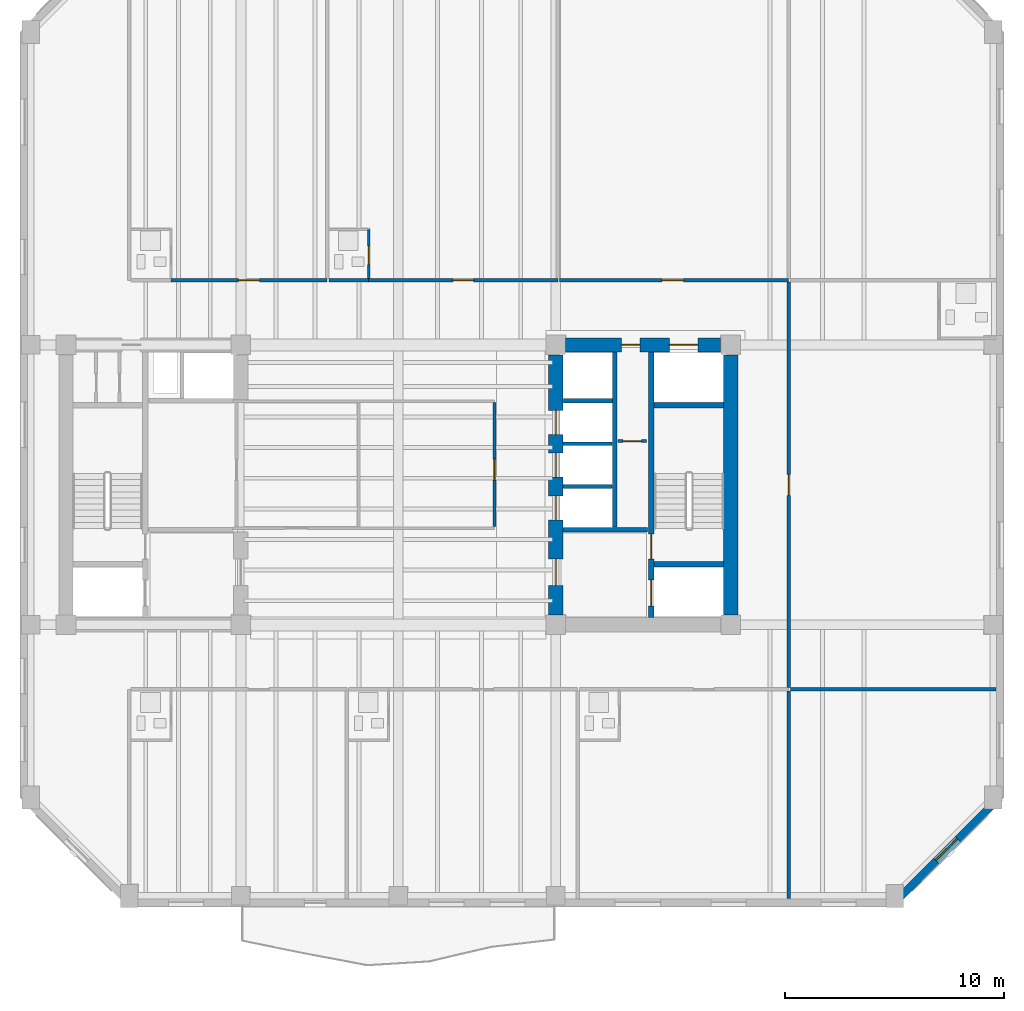
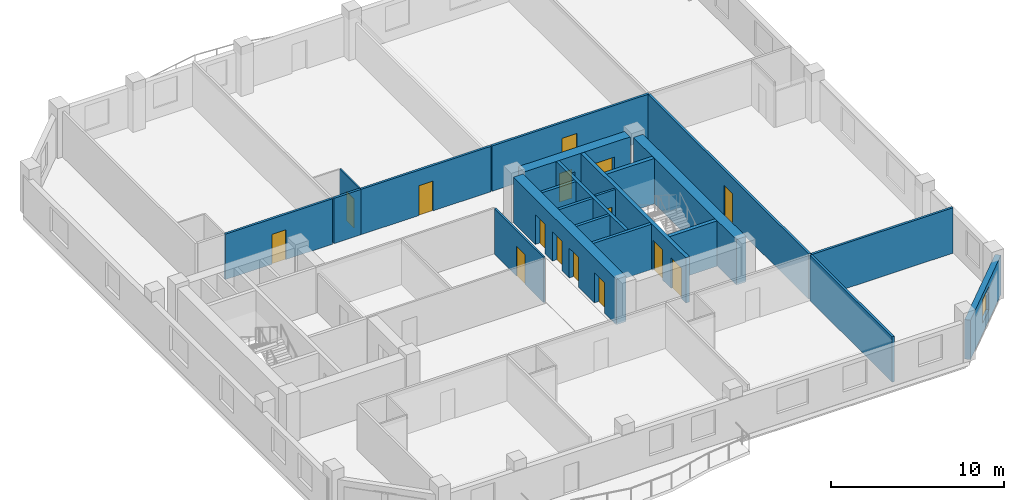
# One storey, part 4 of 9: 22 walls, 15 doors, 1 window, 16 openings.
"""IFC4 building model written with IfcOpenShell, lengths in metres."""

import ifcopenshell
import ifcopenshell.guid

model = None  # the IFC model being written
_history = None  # IfcOwnerHistory: only IFC2X3 demands one
_inside = {}  # id of a spatial element -> (the spatial element, [elements in it])
_under = {}  # id of a project, library or spatial element -> (it, [spatial elements below it])
_declared = {}  # id of a project -> (the project, [libraries it declares])
_typed = {}  # id of a type object -> (the type object, [elements of that type])
_made_of = {}  # id of a material, layer set ... -> (it, [elements and type objects made of it])


def new_model(schema):
    """Start an empty IFC model of exactly this schema.

    Asked for "IFC4X3", IfcOpenShell would pick the latest addendum, in which some entities
    have other attributes; the version numbers below select the first issue.
    IFC2X3 requires an IfcOwnerHistory on every rooted entity: one is made here for all.
    """
    global model, _history
    if schema == "IFC4X3":
        model = ifcopenshell.file(schema_version=(4, 3, 0, 0))
    else:
        model = ifcopenshell.file(schema=schema)
    _inside.clear()
    _under.clear()
    _declared.clear()
    _typed.clear()
    _made_of.clear()
    _history = None
    if model.schema == "IFC2X3":
        org = make("IfcOrganization", Name="unknown")
        user = make(
            "IfcPersonAndOrganization",
            ThePerson=make("IfcPerson", FamilyName="unknown"),
            TheOrganization=org,
        )
        app = make(
            "IfcApplication",
            ApplicationDeveloper=org,
            Version="unknown",
            ApplicationFullName="unknown",
            ApplicationIdentifier="unknown",
        )
        _history = make(
            "IfcOwnerHistory",
            OwningUser=user,
            OwningApplication=app,
            ChangeAction="ADDED",
            CreationDate=0,
        )
    return model


def make(cls, **values):
    """One entity of the class cls with the attributes given. An attribute that is None is left unset."""
    return model.create_entity(
        cls, **{name: value for name, value in values.items() if value is not None}
    )


def rooted(cls, **values):
    """An entity with a GlobalId (a new one), such as an element, a storey or a relation."""
    return make(cls, GlobalId=ifcopenshell.guid.new(), OwnerHistory=_history, **values)


def si_unit(unit_type, name, prefix=None):
    """IfcSIUnit, for example si_unit("LENGTHUNIT", "METRE", prefix="MILLI")."""
    return make("IfcSIUnit", UnitType=unit_type, Prefix=prefix, Name=name)


def assignment(units):
    """IfcUnitAssignment: the units of a project."""
    return None if units is None else make("IfcUnitAssignment", Units=units)


def point(xyz):
    """IfcCartesianPoint."""
    return None if xyz is None else make("IfcCartesianPoint", Coordinates=xyz)


def direction(xyz):
    """IfcDirection."""
    return None if xyz is None else make("IfcDirection", DirectionRatios=xyz)


def frame(location, z_axis=None, x_axis=None):
    """IfcAxis2Placement3D, a coordinate frame: its origin and axes. An axis left out is left unset."""
    return make(
        "IfcAxis2Placement3D",
        Location=point(location),
        Axis=direction(z_axis),
        RefDirection=direction(x_axis),
    )


def frame_2d(location, x_axis=None):
    """IfcAxis2Placement2D, a coordinate frame in the plane: its origin and x axis."""
    return make(
        "IfcAxis2Placement2D", Location=point(location), RefDirection=direction(x_axis)
    )


def origin():
    """The frame at (0, 0, 0) with its axes left unset."""
    return frame((0.0, 0.0, 0.0))


def place(relative_to, where):
    """IfcLocalPlacement: puts the frame where relative to a parent placement (None: the world)."""
    return make(
        "IfcLocalPlacement", PlacementRelTo=relative_to, RelativePlacement=where
    )


def context(
    kind, dimensions, precision=None, world=None, true_north=None, identifier=None
):
    """IfcGeometricRepresentationContext, for example the 3D "Model" context."""
    return make(
        "IfcGeometricRepresentationContext",
        ContextIdentifier=identifier,
        ContextType=kind,
        CoordinateSpaceDimension=dimensions,
        Precision=precision,
        WorldCoordinateSystem=world,
        TrueNorth=true_north,
    )


def subcontext(parent, identifier, kind, view, scale=None):
    """IfcGeometricRepresentationSubContext, for example "Body" below "Model"."""
    return make(
        "IfcGeometricRepresentationSubContext",
        ContextIdentifier=identifier,
        ContextType=kind,
        ParentContext=parent,
        TargetScale=scale,
        TargetView=view,
    )


def project(units=None, contexts=None):
    """IfcProject with its units and contexts."""
    return rooted(
        "IfcProject",
        Name="project",
        RepresentationContexts=contexts,
        UnitsInContext=assignment(units),
    )


def spatial(cls, under=None, at=None, **own):
    """A site, building, storey or space (cls), placed at a placement, below another one or the project."""
    s = rooted(cls, ObjectPlacement=at, **own)
    if under is not None:
        _under.setdefault(under.id(), (under, []))[1].append(s)
    return s


def profile(cls, at=None, kind="AREA", **sizes):
    """A parametric profile (cls). Its sizes go by their IFC names, for example OverallWidth=200.0."""
    return make(cls, ProfileType=kind, Position=at, **sizes)


def rectangle(**sizes):
    """IfcRectangleProfileDef."""
    return profile("IfcRectangleProfileDef", **sizes)


def extrude(swept, where, along, depth):
    """IfcExtrudedAreaSolid: the profile swept, set in the frame where, extruded along a direction by depth."""
    return make(
        "IfcExtrudedAreaSolid",
        SweptArea=swept,
        Position=where,
        ExtrudedDirection=direction(along),
        Depth=depth,
    )


def shape(context_of_items, identifier, shape_type, items):
    """IfcShapeRepresentation: the items that make up one representation, for example the "Body"."""
    return make(
        "IfcShapeRepresentation",
        ContextOfItems=context_of_items,
        RepresentationIdentifier=identifier,
        RepresentationType=shape_type,
        Items=items,
    )


def material(Name=None, Category=None):
    """IfcMaterial."""
    return make("IfcMaterial", Name=Name, Category=Category)


def layer(
    of_material, thickness, ventilated=None, Name=None, Category=None, Priority=None
):
    """IfcMaterialLayer: one layer of a wall or slab, of a material (None: an air gap)."""
    return make(
        "IfcMaterialLayer",
        Material=of_material,
        LayerThickness=thickness,
        IsVentilated=ventilated,
        Name=Name,
        Category=Category,
        Priority=Priority,
    )


def layer_set(layers, Name=None):
    """IfcMaterialLayerSet."""
    return make("IfcMaterialLayerSet", MaterialLayers=layers, LayerSetName=Name)


def made_of(thing, what):
    """Note that an element or type object is made of a material, layer set ...; save() writes the relation."""
    if what is not None:
        _made_of.setdefault(what.id(), (what, []))[1].append(thing)
    return thing


def type_object(cls, material=None, **own):
    """A type object (cls), such as IfcWallType, which elements share."""
    return made_of(rooted(cls, **own), material)


def element(
    cls,
    number,
    at=None,
    inside=None,
    cuts=None,
    type_object=None,
    material=None,
    context=None,
    identifier="Body",
    shape_type=None,
    held_by="IfcProductDefinitionShape",
    body=None,
    shapes=None,
    **own,
):
    """One element of the class cls, such as IfcWall. Its Tag is "e" and its number.

    at: its placement. inside: the storey or other place that contains it. cuts: it is an
    opening in that element (IfcRelVoidsElement). A single representation is given by context,
    identifier, shape_type and body (its items); several are given by shapes. held_by: the class
    of the entity that holds the representations. save() writes the other relations.
    """
    e = rooted(cls, Tag="e%d" % number, ObjectPlacement=at, **own)
    if body is not None:
        shapes = [shape(context, identifier, shape_type, body)]
    if shapes is not None:
        e.Representation = make(held_by, Representations=shapes)
    if inside is not None:
        _inside.setdefault(inside.id(), (inside, []))[1].append(e)
    if cuts is not None:
        rooted(
            "IfcRelVoidsElement", RelatingBuildingElement=cuts, RelatedOpeningElement=e
        )
    if type_object is not None:
        _typed.setdefault(type_object.id(), (type_object, []))[1].append(e)
    return made_of(e, material)


def fill(opening, filler):
    """IfcRelFillsElement: the door or window that sits in an opening."""
    return rooted(
        "IfcRelFillsElement",
        RelatingOpeningElement=opening,
        RelatedBuildingElement=filler,
    )


def aggregate(whole, parts):
    """IfcRelAggregates: a whole, such as a stair, and the parts it consists of."""
    return rooted("IfcRelAggregates", RelatingObject=whole, RelatedObjects=parts)


def save(model, path):
    """Write the relations noted so far, then the file.

    IfcRelAggregates (storeys below a building ...), IfcRelContainedInSpatialStructure (elements
    in a storey), IfcRelDefinesByType, IfcRelAssociatesMaterial and IfcRelDeclares: one each for
    every whole, place, type object, material and project.
    """
    for whole, parts in _under.values():
        aggregate(whole, parts)
    for where, things in _inside.values():
        rooted(
            "IfcRelContainedInSpatialStructure",
            RelatedElements=things,
            RelatingStructure=where,
        )
    for kind, things in _typed.values():
        rooted("IfcRelDefinesByType", RelatedObjects=things, RelatingType=kind)
    for what, things in _made_of.values():
        rooted("IfcRelAssociatesMaterial", RelatedObjects=things, RelatingMaterial=what)
    for by, libraries in _declared.values():
        rooted("IfcRelDeclares", RelatingContext=by, RelatedDefinitions=libraries)
    model.write(path)


model = new_model("IFC4")

# Units and contexts
model_context = context("Model", 3, precision=1e-05, world=origin(), true_north=direction((0.0, 1.0)))
body_context = subcontext(model_context, "Body", "Model", "MODEL_VIEW")
ifc_project = project(units=[si_unit("LENGTHUNIT", "METRE"), si_unit("AREAUNIT", "SQUARE_METRE"), si_unit("VOLUMEUNIT", "CUBIC_METRE"), si_unit("PLANEANGLEUNIT", "RADIAN"), si_unit("MASSUNIT", "GRAM", prefix="KILO")], contexts=[model_context])

# Site, building, storey
site_placement = place(None, origin())
site = spatial("IfcSite", under=ifc_project, at=site_placement, CompositionType="ELEMENT")
building_placement = place(site_placement, origin())
building = spatial("IfcBuilding", under=site, at=building_placement, Name="Kranthara Brick Stack", CompositionType="ELEMENT")
storey_placement = place(building_placement, frame((0.0, 0.0, 169.300048828125)))
storey = spatial("IfcBuildingStorey", under=building, at=storey_placement, Name="L43", CompositionType="ELEMENT", Elevation=169.300048828125)

# Wall, opening, window
ifc_material_1 = material(Name="Kiln-fired clay brick masonry M15", Category="masonry")
ifc_layer_1 = layer(ifc_material_1, 0.35009765625)
ifc_layer_set_1 = layer_set([ifc_layer_1], Name="Kiln-fired clay brick masonry M15")
wall_type_1 = type_object("IfcWallType", Name="WL-BRK-SPND-350", PredefinedType="STANDARD", material=ifc_layer_set_1)
wall_1_placement = place(storey_placement, frame((55.5048828125, 12.89990234375, 0.0), z_axis=(0.0, 0.0, 1.0), x_axis=(-0.707106781187, -0.707106781187, 0.0)))
wall_1 = element("IfcWall", 1, at=wall_1_placement, inside=storey, type_object=wall_type_1, Name="L43 Exterior Brick Facade Wall SE 1", PredefinedType="STANDARD", context=body_context, shape_type="SweptSolid", body=[
    extrude(rectangle(XDim=6.795166015625, YDim=0.35009765625, at=frame_2d((3.3974609375, 0.0))), origin(), (0.0, 0.0, 1.0), 2.784912109375),
])
opening_1_placement = place(wall_1_placement, frame((2.697998046875, 0.0, 0.75)))
opening_1 = element("IfcOpeningElement", 2, at=opening_1_placement, cuts=wall_1, Name="Opening WN10", PredefinedType="OPENING", context=body_context, shape_type="SweptSolid", body=[
    extrude(rectangle(XDim=1.39990234375, YDim=1.64990234375, at=frame_2d((0.699951171875, 0.824951171875))), frame((0.0, 0.18505859375, 0.0), z_axis=(0.0, -1.0, 0.0), x_axis=(1.0, 0.0, 0.0)), (0.0, 0.0, 1.0), 0.3701171875),
])
ifc_material_2 = material(Name="Double-glazed low-E solar control glass", Category="glass")
window_type = type_object("IfcWindowType", Name="WN-CHM-1400x1750", PartitioningType="SINGLE_PANEL", PredefinedType="WINDOW", material=ifc_material_2)
window_placement = place(opening_1_placement, origin())
window = element("IfcWindow", 3, at=window_placement, inside=storey, type_object=window_type, Name="L43 SE Chamfer Corner Window", OverallHeight=1.64990234375, OverallWidth=1.39990234375, PartitioningType="SINGLE_PANEL", PredefinedType="WINDOW", context=body_context, shape_type="SweptSolid", body=[
    extrude(rectangle(XDim=1.39990234375, YDim=1.64990234375, at=frame_2d((0.699951171875, 0.824951171875))), frame((0.0, -0.010009765625, 0.0), z_axis=(0.0, -1.0, 0.0), x_axis=(1.0, 0.0, 0.0)), (0.0, 0.0, 1.0), 0.06005859375),
])
fill(opening_1, window)

# Wall, openings, doors
ifc_material_3 = material(Name="Concrete C50/60", Category="concrete")
ifc_layer_2 = layer(ifc_material_3, 0.25)
ifc_layer_set_2 = layer_set([ifc_layer_2], Name="Concrete C50/60")
wall_type_2 = type_object("IfcWallType", Name="WL-CORE-250", PredefinedType="SHEAR", material=ifc_layer_set_2)
wall_2_placement = place(storey_placement, frame((39.56494140625, 21.135009765625, 0.0), z_axis=(0.0, 0.0, 1.0), x_axis=(0.0, 1.0, 0.0)))
wall_2 = element("IfcWall", 4, at=wall_2_placement, inside=storey, type_object=wall_type_2, Name="L43 East Core Stair Bearing Spine Wall", PredefinedType="SHEAR", context=body_context, shape_type="SweptSolid", body=[
    extrude(rectangle(XDim=12.1298828125, YDim=0.25, at=frame_2d((6.06494140625, 0.0))), origin(), (0.0, 0.0, 1.0), 3.199951171875),
])
opening_2_placement = place(wall_2_placement, frame((0.514892578125, 0.0, 0.0)))
opening_2 = element("IfcOpeningElement", 5, at=opening_2_placement, cuts=wall_2, Name="Opening LD01", PredefinedType="OPENING", context=body_context, shape_type="SweptSolid", body=[
    extrude(rectangle(XDim=1.199951171875, YDim=2.14990234375, at=frame_2d((0.60009765625, 1.074951171875))), frame((0.0, 0.135009765625, 0.0), z_axis=(0.0, -1.0, 0.0), x_axis=(1.0, 0.0, 0.0)), (0.0, 0.0, 1.0), 0.27001953125),
])
opening_3_placement = place(wall_2_placement, frame((2.6650390625, 0.0, 0.0)))
opening_3 = element("IfcOpeningElement", 6, at=opening_3_placement, cuts=wall_2, Name="Opening D05", PredefinedType="OPENING", context=body_context, shape_type="SweptSolid", body=[
    extrude(rectangle(XDim=1.14990234375, YDim=2.14990234375, at=frame_2d((0.574951171875, 1.074951171875))), frame((0.0, 0.135009765625, 0.0), z_axis=(0.0, -1.0, 0.0), x_axis=(1.0, 0.0, 0.0)), (0.0, 0.0, 1.0), 0.27001953125),
])
ifc_material_4 = material(Name="Stainless steel sliding landing door", Category="steel")
door_type_1 = type_object("IfcDoorType", Name="DR-LD-FF1200", OperationType="DOUBLE_DOOR_SLIDING", PredefinedType="DOOR", material=ifc_material_4)
door_1_placement = place(opening_2_placement, origin())
door_1 = element("IfcDoor", 7, at=door_1_placement, inside=storey, type_object=door_type_1, Name="L43 Firefighting Lift FF-02 Landing Door", OperationType="DOUBLE_DOOR_SLIDING", OverallHeight=2.14990234375, OverallWidth=1.199951171875, PredefinedType="DOOR", context=body_context, shape_type="SweptSolid", body=[
    extrude(rectangle(XDim=1.199951171875, YDim=2.14990234375, at=frame_2d((0.60009765625, 1.074951171875))), frame((0.0, 0.02490234375, 0.0), z_axis=(0.0, -1.0, 0.0), x_axis=(1.0, 0.0, 0.0)), (0.0, 0.0, 1.0), 0.050048828125),
])
fill(opening_2, door_1)
ifc_material_5 = material(Name="Solid-core hardwood timber leaf in steel frame", Category="steel")
door_type_2 = type_object("IfcDoorType", Name="DR-ST-1150", OperationType="NOTDEFINED", PredefinedType="DOOR", material=ifc_material_5)
door_2_placement = place(opening_3_placement, origin())
door_2 = element("IfcDoor", 8, at=door_2_placement, inside=storey, type_object=door_type_2, Name="L43 Exit Stair ST02 Door", OperationType="SINGLE_SWING_LEFT", OverallHeight=2.14990234375, OverallWidth=1.14990234375, PredefinedType="DOOR", context=body_context, shape_type="SweptSolid", body=[
    extrude(rectangle(XDim=1.14990234375, YDim=2.14990234375, at=frame_2d((0.574951171875, 1.074951171875))), frame((0.0, 0.02490234375, 0.0), z_axis=(0.0, -1.0, 0.0), x_axis=(1.0, 0.0, 0.0)), (0.0, 0.0, 1.0), 0.050048828125),
])
fill(opening_3, door_2)

# Walls
for number, where, z_axis, x_axis, name in (
    (9, (39.68994140625, 23.570068359375, 0.0), (0.0, 0.0, 1.0), (1.0, 0.0, 0.0), "L43 East Stairwell Bearing Wall EFF"),
    (10, (39.68994140625, 30.830078125, 0.0), (0.0, 0.0, 1.0), (1.0, 0.0, 0.0), "L43 East Stairwell Bearing Wall EST"),
):
    element("IfcWall", number, at=place(storey_placement, frame(where, z_axis=z_axis, x_axis=x_axis)), inside=storey, type_object=wall_type_2, Name=name, PredefinedType="SHEAR", context=body_context, shape_type="SweptSolid", body=[
        extrude(rectangle(XDim=3.175048828125, YDim=0.25, at=frame_2d((1.58740234375, 0.0))), origin(), (0.0, 0.0, 1.0), 3.199951171875),
    ])
ifc_material_6 = material(Name="Concrete C60/75", Category="concrete")
ifc_layer_3 = layer(ifc_material_6, 0.64990234375)
ifc_layer_set_3 = layer_set([ifc_layer_3], Name="Concrete C60/75")
wall_type_3 = type_object("IfcWallType", Name="WL-CORE-650", PredefinedType="SHEAR", material=ifc_layer_set_3)
wall_3_placement = place(storey_placement, frame((43.199951171875, 21.2548828125, 0.0), z_axis=(0.0, 0.0, 1.0), x_axis=(0.0, 1.0, 0.0)))
element("IfcWall", 11, at=wall_3_placement, inside=storey, type_object=wall_type_3, Name="L43 East Core Shear Wall East", PredefinedType="SHEAR", context=body_context, shape_type="SweptSolid", body=[
    extrude(rectangle(XDim=11.89013671875, YDim=0.64990234375, at=frame_2d((5.945068359375, 0.0))), origin(), (0.0, 0.0, 1.0), 3.199951171875),
])

# Wall, openings, doors
wall_4_placement = place(storey_placement, frame((35.655029296875, 33.60009765625, 0.0), z_axis=(0.0, 0.0, 1.0), x_axis=(1.0, 0.0, 0.0)))
wall_4 = element("IfcWall", 12, at=wall_4_placement, inside=storey, type_object=wall_type_3, Name="L43 East Core Shear Wall North", PredefinedType="SHEAR", context=body_context, shape_type="SweptSolid", body=[
    extrude(rectangle(XDim=7.090087890625, YDim=0.64990234375, at=frame_2d((3.544921875, 0.0))), origin(), (0.0, 0.0, 1.0), 3.199951171875),
])
opening_4_placement = place(wall_4_placement, frame((4.7451171875, 0.0, 0.0)))
opening_4 = element("IfcOpeningElement", 13, at=opening_4_placement, cuts=wall_4, Name="Opening LD03", PredefinedType="OPENING", context=body_context, shape_type="SweptSolid", body=[
    extrude(rectangle(XDim=1.300048828125, YDim=2.14990234375, at=frame_2d((0.64990234375, 1.074951171875))), frame((0.0, 0.3349609375, 0.0), z_axis=(0.0, -1.0, 0.0), x_axis=(1.0, 0.0, 0.0)), (0.0, 0.0, 1.0), 0.669921875),
])
opening_5_placement = place(wall_4_placement, frame((2.544921875, 0.0, 0.0)))
opening_5 = element("IfcOpeningElement", 14, at=opening_5_placement, cuts=wall_4, Name="Opening D10", PredefinedType="OPENING", context=body_context, shape_type="SweptSolid", body=[
    extrude(rectangle(XDim=0.85009765625, YDim=2.02001953125, at=frame_2d((0.425048828125, 1.010009765625))), frame((0.0, 0.3349609375, 0.0), z_axis=(0.0, -1.0, 0.0), x_axis=(1.0, 0.0, 0.0)), (0.0, 0.0, 1.0), 0.669921875),
])
ifc_material_7 = material(Name="Stainless steel sliding landing door", Category="steel")
door_type_3 = type_object("IfcDoorType", Name="DR-LD-SV1300", OperationType="DOUBLE_DOOR_SLIDING", PredefinedType="DOOR", material=ifc_material_7)
door_3_placement = place(opening_4_placement, origin())
door_3 = element("IfcDoor", 15, at=door_3_placement, inside=storey, type_object=door_type_3, Name="L43 Stretcher Service Lift SV-01 Landing Door", OperationType="DOUBLE_DOOR_SLIDING", OverallHeight=2.14990234375, OverallWidth=1.300048828125, PredefinedType="DOOR", context=body_context, shape_type="SweptSolid", body=[
    extrude(rectangle(XDim=1.300048828125, YDim=2.14990234375, at=frame_2d((0.64990234375, 1.074951171875))), frame((0.0, 0.02490234375, 0.0), z_axis=(0.0, -1.0, 0.0), x_axis=(1.0, 0.0, 0.0)), (0.0, 0.0, 1.0), 0.050048828125),
])
fill(opening_4, door_3)
ifc_material_8 = material(Name="Solid-core hardwood timber leaf in steel frame", Category="steel")
door_type_4 = type_object("IfcDoorType", Name="DR-RSR-850", OperationType="NOTDEFINED", PredefinedType="DOOR", material=ifc_material_8)
door_4_placement = place(opening_5_placement, origin())
door_4 = element("IfcDoor", 16, at=door_4_placement, inside=storey, type_object=door_type_4, Name="L43 East Core Service Room Door", OperationType="SINGLE_SWING_LEFT", OverallHeight=2.02001953125, OverallWidth=0.85009765625, PredefinedType="DOOR", context=body_context, shape_type="SweptSolid", body=[
    extrude(rectangle(XDim=0.85009765625, YDim=2.02001953125, at=frame_2d((0.425048828125, 1.010009765625))), frame((0.0, 0.02490234375, 0.0), z_axis=(0.0, -1.0, 0.0), x_axis=(1.0, 0.0, 0.0)), (0.0, 0.0, 1.0), 0.050048828125),
])
fill(opening_5, door_4)

wall_5_placement = place(storey_placement, frame((35.199951171875, 21.2548828125, 0.0), z_axis=(0.0, 0.0, 1.0), x_axis=(0.0, 1.0, 0.0)))
wall_5 = element("IfcWall", 17, at=wall_5_placement, inside=storey, type_object=wall_type_3, Name="L43 East Core Shear Wall West", PredefinedType="SHEAR", context=body_context, shape_type="SweptSolid", body=[
    extrude(rectangle(XDim=11.89013671875, YDim=0.64990234375, at=frame_2d((5.945068359375, 0.0))), origin(), (0.0, 0.0, 1.0), 3.199951171875),
])
opening_6_placement = place(wall_5_placement, frame((1.344970703125, 0.0, 0.0)))
opening_6 = element("IfcOpeningElement", 18, at=opening_6_placement, cuts=wall_5, Name="Opening D06", PredefinedType="OPENING", context=body_context, shape_type="SweptSolid", body=[
    extrude(rectangle(XDim=1.199951171875, YDim=2.14990234375, at=frame_2d((0.60009765625, 1.074951171875))), frame((0.0, 0.3349609375, 0.0), z_axis=(0.0, -1.0, 0.0), x_axis=(1.0, 0.0, 0.0)), (0.0, 0.0, 1.0), 0.669921875),
])
opening_7_placement = place(wall_5_placement, frame((4.344970703125, 0.0, 0.0)))
opening_7 = element("IfcOpeningElement", 19, at=opening_7_placement, cuts=wall_5, Name="Opening LD02", PredefinedType="OPENING", context=body_context, shape_type="SweptSolid", body=[
    extrude(rectangle(XDim=1.10009765625, YDim=2.10009765625, at=frame_2d((0.550048828125, 1.050048828125))), frame((0.0, 0.3349609375, 0.0), z_axis=(0.0, -1.0, 0.0), x_axis=(1.0, 0.0, 0.0)), (0.0, 0.0, 1.0), 0.669921875),
])
opening_8_placement = place(wall_5_placement, frame((6.294921875, 0.0, 0.0)))
opening_8 = element("IfcOpeningElement", 20, at=opening_8_placement, cuts=wall_5, Name="Opening LD02", PredefinedType="OPENING", context=body_context, shape_type="SweptSolid", body=[
    extrude(rectangle(XDim=1.10009765625, YDim=2.10009765625, at=frame_2d((0.550048828125, 1.050048828125))), frame((0.0, 0.3349609375, 0.0), z_axis=(0.0, -1.0, 0.0), x_axis=(1.0, 0.0, 0.0)), (0.0, 0.0, 1.0), 0.669921875),
])
opening_9_placement = place(wall_5_placement, frame((8.2451171875, 0.0, 0.0)))
opening_9 = element("IfcOpeningElement", 21, at=opening_9_placement, cuts=wall_5, Name="Opening LD02", PredefinedType="OPENING", context=body_context, shape_type="SweptSolid", body=[
    extrude(rectangle(XDim=1.10009765625, YDim=2.10009765625, at=frame_2d((0.550048828125, 1.050048828125))), frame((0.0, 0.3349609375, 0.0), z_axis=(0.0, -1.0, 0.0), x_axis=(1.0, 0.0, 0.0)), (0.0, 0.0, 1.0), 0.669921875),
])
ifc_material_9 = material(Name="Solid-core hardwood timber leaf in steel frame", Category="steel")
door_type_5 = type_object("IfcDoorType", Name="DR-FFL-1200", OperationType="NOTDEFINED", PredefinedType="DOOR", material=ifc_material_9)
door_5_placement = place(opening_6_placement, origin())
door_5 = element("IfcDoor", 22, at=door_5_placement, inside=storey, type_object=door_type_5, Name="L43 East Firefighting Lobby Door", OperationType="SINGLE_SWING_RIGHT", OverallHeight=2.14990234375, OverallWidth=1.199951171875, PredefinedType="DOOR", context=body_context, shape_type="SweptSolid", body=[
    extrude(rectangle(XDim=1.199951171875, YDim=2.14990234375, at=frame_2d((0.60009765625, 1.074951171875))), frame((0.0, 0.02490234375, 0.0), z_axis=(0.0, -1.0, 0.0), x_axis=(1.0, 0.0, 0.0)), (0.0, 0.0, 1.0), 0.050048828125),
])
fill(opening_6, door_5)
ifc_material_10 = material(Name="Stainless steel sliding landing door", Category="steel")
door_type_6 = type_object("IfcDoorType", Name="DR-LD-PL1100", OperationType="DOUBLE_DOOR_SLIDING", PredefinedType="DOOR", material=ifc_material_10)
door_6_placement = place(opening_7_placement, origin())
door_6 = element("IfcDoor", 23, at=door_6_placement, inside=storey, type_object=door_type_6, Name="L43 PL-04 Lift Landing Door", OperationType="DOUBLE_DOOR_SLIDING", OverallHeight=2.10009765625, OverallWidth=1.10009765625, PredefinedType="DOOR", context=body_context, shape_type="SweptSolid", body=[
    extrude(rectangle(XDim=1.10009765625, YDim=2.10009765625, at=frame_2d((0.550048828125, 1.050048828125))), frame((0.0, 0.02490234375, 0.0), z_axis=(0.0, -1.0, 0.0), x_axis=(1.0, 0.0, 0.0)), (0.0, 0.0, 1.0), 0.050048828125),
])
fill(opening_7, door_6)
door_7_placement = place(opening_8_placement, origin())
door_7 = element("IfcDoor", 24, at=door_7_placement, inside=storey, type_object=door_type_6, Name="L43 PL-05 Lift Landing Door", OperationType="DOUBLE_DOOR_SLIDING", OverallHeight=2.10009765625, OverallWidth=1.10009765625, PredefinedType="DOOR", context=body_context, shape_type="SweptSolid", body=[
    extrude(rectangle(XDim=1.10009765625, YDim=2.10009765625, at=frame_2d((0.550048828125, 1.050048828125))), frame((0.0, 0.02490234375, 0.0), z_axis=(0.0, -1.0, 0.0), x_axis=(1.0, 0.0, 0.0)), (0.0, 0.0, 1.0), 0.050048828125),
])
fill(opening_8, door_7)
door_8_placement = place(opening_9_placement, origin())
door_8 = element("IfcDoor", 25, at=door_8_placement, inside=storey, type_object=door_type_6, Name="L43 PL-06 Lift Landing Door", OperationType="DOUBLE_DOOR_SLIDING", OverallHeight=2.10009765625, OverallWidth=1.10009765625, PredefinedType="DOOR", context=body_context, shape_type="SweptSolid", body=[
    extrude(rectangle(XDim=1.10009765625, YDim=2.10009765625, at=frame_2d((0.550048828125, 1.050048828125))), frame((0.0, 0.02490234375, 0.0), z_axis=(0.0, -1.0, 0.0), x_axis=(1.0, 0.0, 0.0)), (0.0, 0.0, 1.0), 0.050048828125),
])
fill(opening_9, door_8)

# Wall, opening, door
ifc_material_11 = material(Name="Moisture-resistant wet-room partition", Category="other")
ifc_layer_4 = layer(ifc_material_11, 0.10009765625)
ifc_layer_set_4 = layer_set([ifc_layer_4], Name="Moisture-resistant wet-room partition")
wall_type_4 = type_object("IfcWallType", Name="WL-PART-100", PredefinedType="PARTITIONING", material=ifc_layer_set_4)
wall_6_placement = place(storey_placement, frame((26.64501953125, 36.6298828125, 0.0), z_axis=(0.0, 0.0, 1.0), x_axis=(0.0, 1.0, 0.0)))
wall_6 = element("IfcWall", 26, at=wall_6_placement, inside=storey, type_object=wall_type_4, Name="L43 Interior Partition 033", PredefinedType="PARTITIONING", context=body_context, shape_type="SweptSolid", body=[
    extrude(rectangle(XDim=2.25, YDim=0.10009765625, at=frame_2d((1.125, 0.0))), origin(), (0.0, 0.0, 1.0), 3.199951171875),
])
opening_10_placement = place(wall_6_placement, frame((0.639892578125, 0.0, 0.0)))
opening_10 = element("IfcOpeningElement", 27, at=opening_10_placement, cuts=wall_6, Name="Opening D17", PredefinedType="OPENING", context=body_context, shape_type="SweptSolid", body=[
    extrude(rectangle(XDim=0.85009765625, YDim=2.050048828125, at=frame_2d((0.425048828125, 1.02490234375))), frame((0.0, 0.06005859375, 0.0), z_axis=(0.0, -1.0, 0.0), x_axis=(1.0, 0.0, 0.0)), (0.0, 0.0, 1.0), 0.1201171875),
])
ifc_material_12 = material(Name="Solid-core hardwood timber leaf in steel frame", Category="steel")
door_type_7 = type_object("IfcDoorType", Name="DR-WET-850", OperationType="NOTDEFINED", PredefinedType="DOOR", material=ifc_material_12)
door_9_placement = place(opening_10_placement, origin())
door_9 = element("IfcDoor", 28, at=door_9_placement, inside=storey, type_object=door_type_7, Name="L43 Key 05 En-Suite Door 15", OperationType="SINGLE_SWING_LEFT", OverallHeight=2.050048828125, OverallWidth=0.85009765625, PredefinedType="DOOR", context=body_context, shape_type="SweptSolid", body=[
    extrude(rectangle(XDim=0.85009765625, YDim=2.050048828125, at=frame_2d((0.425048828125, 1.02490234375))), frame((0.0, 0.02490234375, 0.0), z_axis=(0.0, -1.0, 0.0), x_axis=(1.0, 0.0, 0.0)), (0.0, 0.0, 1.0), 0.050048828125),
])
fill(opening_10, door_9)

ifc_material_13 = material(Name="Acoustic gypsum plasterboard partition", Category="other")
ifc_layer_5 = layer(ifc_material_13, 0.1201171875)
ifc_layer_set_5 = layer_set([ifc_layer_5], Name="Acoustic gypsum plasterboard partition")
wall_type_5 = type_object("IfcWallType", Name="WL-PART-120", PredefinedType="PARTITIONING", material=ifc_layer_set_5)
wall_7_placement = place(storey_placement, frame((32.39990234375, 25.284912109375, 0.0), z_axis=(0.0, 0.0, 1.0), x_axis=(0.0, 1.0, 0.0)))
wall_7 = element("IfcWall", 29, at=wall_7_placement, inside=storey, type_object=wall_type_5, Name="L43 Interior Partition 006", PredefinedType="PARTITIONING", context=body_context, shape_type="SweptSolid", body=[
    extrude(rectangle(XDim=5.670166015625, YDim=0.1201171875, at=frame_2d((2.8349609375, 0.0))), origin(), (0.0, 0.0, 1.0), 3.199951171875),
])
opening_11_placement = place(wall_7_placement, frame((2.135009765625, 0.0, 0.0)))
opening_11 = element("IfcOpeningElement", 30, at=opening_11_placement, cuts=wall_7, Name="Opening D14", PredefinedType="OPENING", context=body_context, shape_type="SweptSolid", body=[
    extrude(rectangle(XDim=0.949951171875, YDim=2.10009765625, at=frame_2d((0.47509765625, 1.050048828125))), frame((0.0, 0.070068359375, 0.0), z_axis=(0.0, -1.0, 0.0), x_axis=(1.0, 0.0, 0.0)), (0.0, 0.0, 1.0), 0.14013671875),
])
ifc_material_14 = material(Name="Solid-core hardwood timber leaf in steel frame", Category="steel")
door_type_8 = type_object("IfcDoorType", Name="DR-INT-950", OperationType="NOTDEFINED", PredefinedType="DOOR", material=ifc_material_14)
door_10_placement = place(opening_11_placement, origin())
door_10 = element("IfcDoor", 31, at=door_10_placement, inside=storey, type_object=door_type_8, Name="L43 Housekeeping Linen Door 06", OperationType="SINGLE_SWING_RIGHT", OverallHeight=2.10009765625, OverallWidth=0.949951171875, PredefinedType="DOOR", context=body_context, shape_type="SweptSolid", body=[
    extrude(rectangle(XDim=0.949951171875, YDim=2.10009765625, at=frame_2d((0.47509765625, 1.050048828125))), frame((0.0, 0.02490234375, 0.0), z_axis=(0.0, -1.0, 0.0), x_axis=(1.0, 0.0, 0.0)), (0.0, 0.0, 1.0), 0.050048828125),
])
fill(opening_11, door_10)

ifc_material_15 = material(Name="Fire-rated gypsum board partition", Category="other")
ifc_layer_6 = layer(ifc_material_15, 0.14990234375)
ifc_layer_set_6 = layer_set([ifc_layer_6], Name="Fire-rated gypsum board partition")
wall_type_6 = type_object("IfcWallType", Name="WL-PART-150", PredefinedType="PARTITIONING", material=ifc_layer_set_6)
wall_8_placement = place(storey_placement, frame((38.050048828125, 29.199951171875, 0.0), z_axis=(0.0, 0.0, 1.0), x_axis=(1.0, 0.0, 0.0)))
wall_8 = element("IfcWall", 32, at=wall_8_placement, inside=storey, type_object=wall_type_6, Name="L43 Interior Partition 003", PredefinedType="PARTITIONING", context=body_context, shape_type="SweptSolid", body=[
    extrude(rectangle(XDim=1.300048828125, YDim=0.14990234375, at=frame_2d((0.64990234375, 0.0))), origin(), (0.0, 0.0, 1.0), 3.199951171875),
])
opening_12_placement = place(wall_8_placement, frame((0.219970703125, 0.0, 0.0)))
opening_12 = element("IfcOpeningElement", 33, at=opening_12_placement, cuts=wall_8, Name="Opening D10", PredefinedType="OPENING", context=body_context, shape_type="SweptSolid", body=[
    extrude(rectangle(XDim=0.85009765625, YDim=2.02001953125, at=frame_2d((0.425048828125, 1.010009765625))), frame((0.0, 0.0849609375, 0.0), z_axis=(0.0, -1.0, 0.0), x_axis=(1.0, 0.0, 0.0)), (0.0, 0.0, 1.0), 0.169921875),
])
door_11_placement = place(opening_12_placement, origin())
door_11 = element("IfcDoor", 34, at=door_11_placement, inside=storey, type_object=door_type_4, Name="L43 East Service Door 03", OperationType="SINGLE_SWING_LEFT", OverallHeight=2.02001953125, OverallWidth=0.85009765625, PredefinedType="DOOR", context=body_context, shape_type="SweptSolid", body=[
    extrude(rectangle(XDim=0.85009765625, YDim=2.02001953125, at=frame_2d((0.425048828125, 1.010009765625))), frame((0.0, 0.02490234375, 0.0), z_axis=(0.0, -1.0, 0.0), x_axis=(1.0, 0.0, 0.0)), (0.0, 0.0, 1.0), 0.050048828125),
])
fill(opening_12, door_11)

# Wall
wall_9_placement = place(storey_placement, frame((45.85009765625, 8.27490234375, 0.0), z_axis=(0.0, 0.0, 1.0), x_axis=(0.0, 1.0, 0.0)))
element("IfcWall", 35, at=wall_9_placement, inside=storey, type_object=wall_type_6, Name="L43 Interior Partition 024", PredefinedType="PARTITIONING", context=body_context, shape_type="SweptSolid", body=[
    extrude(rectangle(XDim=9.4951171875, YDim=0.14990234375, at=frame_2d((4.74755859375, 0.0))), origin(), (0.0, 0.0, 1.0), 3.199951171875),
])

# Wall, opening, door
wall_10_placement = place(storey_placement, frame((17.60009765625, 36.550048828125, 0.0), z_axis=(0.0, 0.0, 1.0), x_axis=(1.0, 0.0, 0.0)))
wall_10 = element("IfcWall", 36, at=wall_10_placement, inside=storey, type_object=wall_type_6, Name="L43 Interior Partition 027", PredefinedType="PARTITIONING", context=body_context, shape_type="SweptSolid", body=[
    extrude(rectangle(XDim=7.14501953125, YDim=0.14990234375, at=frame_2d((3.572509765625, 0.0))), origin(), (0.0, 0.0, 1.0), 3.199951171875),
])
opening_13_placement = place(wall_10_placement, frame((3.092041015625, 0.0, 0.0)))
opening_13 = element("IfcOpeningElement", 37, at=opening_13_placement, cuts=wall_10, Name="Opening D09", PredefinedType="OPENING", context=body_context, shape_type="SweptSolid", body=[
    extrude(rectangle(XDim=0.949951171875, YDim=2.10009765625, at=frame_2d((0.47509765625, 1.050048828125))), frame((0.0, 0.0849609375, 0.0), z_axis=(0.0, -1.0, 0.0), x_axis=(1.0, 0.0, 0.0)), (0.0, 0.0, 1.0), 0.169921875),
])
ifc_material_16 = material(Name="Solid-core hardwood timber leaf in steel frame", Category="steel")
door_type_9 = type_object("IfcDoorType", Name="DR-FD-950", OperationType="NOTDEFINED", PredefinedType="DOOR", material=ifc_material_16)
door_12_placement = place(opening_13_placement, origin())
door_12 = element("IfcDoor", 38, at=door_12_placement, inside=storey, type_object=door_type_9, Name="L43 Key 04 Entry 14", OperationType="SINGLE_SWING_RIGHT", OverallHeight=2.10009765625, OverallWidth=0.949951171875, PredefinedType="DOOR", context=body_context, shape_type="SweptSolid", body=[
    extrude(rectangle(XDim=0.949951171875, YDim=2.10009765625, at=frame_2d((0.47509765625, 1.050048828125))), frame((0.0, 0.02490234375, 0.0), z_axis=(0.0, -1.0, 0.0), x_axis=(1.0, 0.0, 0.0)), (0.0, 0.0, 1.0), 0.050048828125),
])
fill(opening_13, door_12)

# Wall
wall_11_placement = place(storey_placement, frame((24.824951171875, 36.550048828125, 0.0), z_axis=(0.0, 0.0, 1.0), x_axis=(1.0, 0.0, 0.0)))
element("IfcWall", 39, at=wall_11_placement, inside=storey, type_object=wall_type_6, Name="L43 Interior Partition 031", PredefinedType="PARTITIONING", context=body_context, shape_type="SweptSolid", body=[
    extrude(rectangle(XDim=1.820068359375, YDim=0.14990234375, at=frame_2d((0.91015625, 0.0))), origin(), (0.0, 0.0, 1.0), 3.199951171875),
])

# Wall, opening, door
wall_12_placement = place(storey_placement, frame((26.64501953125, 36.550048828125, 0.0), z_axis=(0.0, 0.0, 1.0), x_axis=(1.0, 0.0, 0.0)))
wall_12 = element("IfcWall", 40, at=wall_12_placement, inside=storey, type_object=wall_type_6, Name="L43 Interior Partition 032", PredefinedType="PARTITIONING", context=body_context, shape_type="SweptSolid", body=[
    extrude(rectangle(XDim=8.652099609375, YDim=0.14990234375, at=frame_2d((4.326171875, 0.0))), origin(), (0.0, 0.0, 1.0), 3.199951171875),
])
opening_14_placement = place(wall_12_placement, frame((3.845947265625, 0.0, 0.0)))
opening_14 = element("IfcOpeningElement", 41, at=opening_14_placement, cuts=wall_12, Name="Opening D09", PredefinedType="OPENING", context=body_context, shape_type="SweptSolid", body=[
    extrude(rectangle(XDim=0.949951171875, YDim=2.10009765625, at=frame_2d((0.47509765625, 1.050048828125))), frame((0.0, 0.0849609375, 0.0), z_axis=(0.0, -1.0, 0.0), x_axis=(1.0, 0.0, 0.0)), (0.0, 0.0, 1.0), 0.169921875),
])
door_13_placement = place(opening_14_placement, origin())
door_13 = element("IfcDoor", 42, at=door_13_placement, inside=storey, type_object=door_type_9, Name="L43 Key 05 Entry 16", OperationType="SINGLE_SWING_RIGHT", OverallHeight=2.10009765625, OverallWidth=0.949951171875, PredefinedType="DOOR", context=body_context, shape_type="SweptSolid", body=[
    extrude(rectangle(XDim=0.949951171875, YDim=2.10009765625, at=frame_2d((0.47509765625, 1.050048828125))), frame((0.0, 0.02490234375, 0.0), z_axis=(0.0, -1.0, 0.0), x_axis=(1.0, 0.0, 0.0)), (0.0, 0.0, 1.0), 0.050048828125),
])
fill(opening_14, door_13)

wall_13_placement = place(storey_placement, frame((35.376953125, 36.550048828125, 0.0), z_axis=(0.0, 0.0, 1.0), x_axis=(1.0, 0.0, 0.0)))
wall_13 = element("IfcWall", 43, at=wall_13_placement, inside=storey, type_object=wall_type_6, Name="L43 Interior Partition 036", PredefinedType="PARTITIONING", context=body_context, shape_type="SweptSolid", body=[
    extrude(rectangle(XDim=10.47314453125, YDim=0.14990234375, at=frame_2d((5.236572265625, 0.0))), origin(), (0.0, 0.0, 1.0), 3.199951171875),
])
opening_15_placement = place(wall_13_placement, frame((4.676025390625, 0.0, 0.0)))
opening_15 = element("IfcOpeningElement", 44, at=opening_15_placement, cuts=wall_13, Name="Opening D08", PredefinedType="OPENING", context=body_context, shape_type="SweptSolid", body=[
    extrude(rectangle(XDim=1.0, YDim=2.10009765625, at=frame_2d((0.5, 1.050048828125))), frame((0.0, 0.0849609375, 0.0), z_axis=(0.0, -1.0, 0.0), x_axis=(1.0, 0.0, 0.0)), (0.0, 0.0, 1.0), 0.169921875),
])
ifc_material_17 = material(Name="Solid-core hardwood timber leaf in steel frame", Category="steel")
door_type_10 = type_object("IfcDoorType", Name="DR-FD-1000", OperationType="NOTDEFINED", PredefinedType="DOOR", material=ifc_material_17)
door_14_placement = place(opening_15_placement, origin())
door_14 = element("IfcDoor", 45, at=door_14_placement, inside=storey, type_object=door_type_10, Name="L43 Guest Lounge 17", OperationType="SINGLE_SWING_LEFT", OverallHeight=2.10009765625, OverallWidth=1.0, PredefinedType="DOOR", context=body_context, shape_type="SweptSolid", body=[
    extrude(rectangle(XDim=1.0, YDim=2.10009765625, at=frame_2d((0.5, 1.050048828125))), frame((0.0, 0.02490234375, 0.0), z_axis=(0.0, -1.0, 0.0), x_axis=(1.0, 0.0, 0.0)), (0.0, 0.0, 1.0), 0.050048828125),
])
fill(opening_15, door_14)

# Wall
wall_14_placement = place(storey_placement, frame((45.929931640625, 17.85009765625, 0.0), z_axis=(0.0, 0.0, 1.0), x_axis=(1.0, 0.0, 0.0)))
element("IfcWall", 46, at=wall_14_placement, inside=storey, type_object=wall_type_6, Name="L43 Interior Partition 038", PredefinedType="PARTITIONING", context=body_context, shape_type="SweptSolid", body=[
    extrude(rectangle(XDim=9.39501953125, YDim=0.14990234375, at=frame_2d((4.697509765625, 0.0))), origin(), (0.0, 0.0, 1.0), 3.199951171875),
])

# Wall, opening, door
wall_15_placement = place(storey_placement, frame((45.85009765625, 17.929931640625, 0.0), z_axis=(0.0, 0.0, 1.0), x_axis=(0.0, 1.0, 0.0)))
wall_15 = element("IfcWall", 47, at=wall_15_placement, inside=storey, type_object=wall_type_6, Name="L43 Interior Partition 040", PredefinedType="PARTITIONING", context=body_context, shape_type="SweptSolid", body=[
    extrude(rectangle(XDim=18.5400390625, YDim=0.14990234375, at=frame_2d((9.27001953125, 0.0))), origin(), (0.0, 0.0, 1.0), 3.199951171875),
])
opening_16_placement = place(wall_15_placement, frame((8.7900390625, 0.0, 0.0)))
opening_16 = element("IfcOpeningElement", 48, at=opening_16_placement, cuts=wall_15, Name="Opening D09", PredefinedType="OPENING", context=body_context, shape_type="SweptSolid", body=[
    extrude(rectangle(XDim=0.949951171875, YDim=2.10009765625, at=frame_2d((0.47509765625, 1.050048828125))), frame((0.0, 0.0849609375, 0.0), z_axis=(0.0, -1.0, 0.0), x_axis=(1.0, 0.0, 0.0)), (0.0, 0.0, 1.0), 0.169921875),
])
door_15_placement = place(opening_16_placement, origin())
door_15 = element("IfcDoor", 49, at=door_15_placement, inside=storey, type_object=door_type_9, Name="L43 East Key 7 19", OperationType="SINGLE_SWING_LEFT", OverallHeight=2.10009765625, OverallWidth=0.949951171875, PredefinedType="DOOR", context=body_context, shape_type="SweptSolid", body=[
    extrude(rectangle(XDim=0.949951171875, YDim=2.10009765625, at=frame_2d((0.47509765625, 1.050048828125))), frame((0.0, 0.02490234375, 0.0), z_axis=(0.0, -1.0, 0.0), x_axis=(1.0, 0.0, 0.0)), (0.0, 0.0, 1.0), 0.050048828125),
])
fill(opening_16, door_15)

# Walls
ifc_material_18 = material(Name="Gypsum plasterboard on acoustic twin stud", Category="other")
ifc_layer_7 = layer(ifc_material_18, 0.179931640625)
ifc_layer_set_7 = layer_set([ifc_layer_7], Name="Gypsum plasterboard on acoustic twin stud")
wall_type_7 = type_object("IfcWallType", Name="WL-PART-180", PredefinedType="PARTITIONING", material=ifc_layer_set_7)
for number, where, z_axis, x_axis, name in (
    (50, (35.534912109375, 27.1201171875, 0.0), (0.0, 0.0, 1.0), (1.0, 0.0, 0.0), "L43 East Hoistway Wall EH1"),
    (51, (35.534912109375, 29.080078125, 0.0), (0.0, 0.0, 1.0), (1.0, 0.0, 0.0), "L43 East Hoistway Wall EH2"),
):
    element("IfcWall", number, at=place(storey_placement, frame(where, z_axis=z_axis, x_axis=x_axis)), inside=storey, type_object=wall_type_7, Name=name, PredefinedType="PARTITIONING", context=body_context, shape_type="SweptSolid", body=[
        extrude(rectangle(XDim=2.2451171875, YDim=0.179931640625, at=frame_2d((1.12255859375, 0.0))), origin(), (0.0, 0.0, 1.0), 3.199951171875),
    ])
ifc_material_19 = material(Name="Concrete C40/50", Category="concrete")
ifc_layer_8 = layer(ifc_material_19, 0.199951171875)
ifc_layer_set_8 = layer_set([ifc_layer_8], Name="Concrete C40/50")
wall_type_8 = type_object("IfcWallType", Name="WL-PART-200", PredefinedType="SOLIDWALL", material=ifc_layer_set_8)
wall_16_placement = place(storey_placement, frame((35.534912109375, 25.14990234375, 0.0), z_axis=(0.0, 0.0, 1.0), x_axis=(1.0, 0.0, 0.0)))
element("IfcWall", 52, at=wall_16_placement, inside=storey, type_object=wall_type_8, Name="L43 East Core Cross Wall EFL", PredefinedType="SOLIDWALL", context=body_context, shape_type="SweptSolid", body=[
    extrude(rectangle(XDim=3.864990234375, YDim=0.199951171875, at=frame_2d((1.9326171875, 0.0))), origin(), (0.0, 0.0, 1.0), 3.199951171875),
])
wall_17_placement = place(storey_placement, frame((35.550048828125, 31.050048828125, 0.0), z_axis=(0.0, 0.0, 1.0), x_axis=(1.0, 0.0, 0.0)))
element("IfcWall", 53, at=wall_17_placement, inside=storey, type_object=wall_type_8, Name="L43 East Core Cross Wall EE4", PredefinedType="SOLIDWALL", context=body_context, shape_type="SweptSolid", body=[
    extrude(rectangle(XDim=2.25, YDim=0.199951171875, at=frame_2d((1.125, 0.0))), origin(), (0.0, 0.0, 1.0), 3.199951171875),
])
wall_18_placement = place(storey_placement, frame((37.89990234375, 25.27001953125, 0.0), z_axis=(0.0, 0.0, 1.0), x_axis=(0.0, 1.0, 0.0)))
element("IfcWall", 54, at=wall_18_placement, inside=storey, type_object=wall_type_8, Name="L43 East Core Cross Wall ESV", PredefinedType="SOLIDWALL", context=body_context, shape_type="SweptSolid", body=[
    extrude(rectangle(XDim=7.994873046875, YDim=0.199951171875, at=frame_2d((3.99755859375, 0.0))), origin(), (0.0, 0.0, 1.0), 3.199951171875),
])

save(model, "model.ifc")
